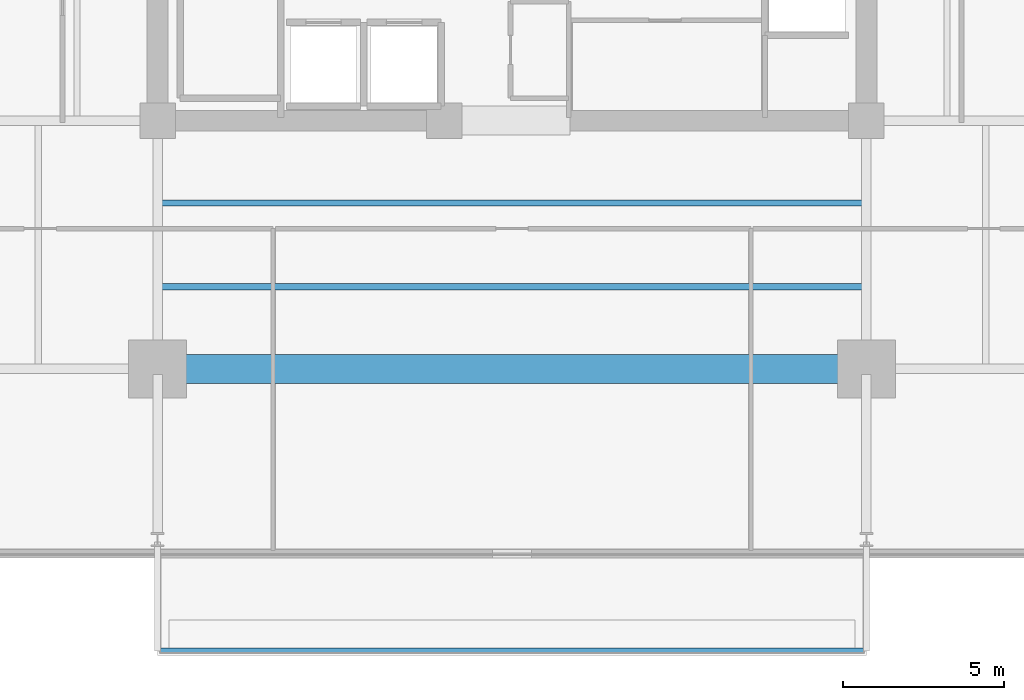
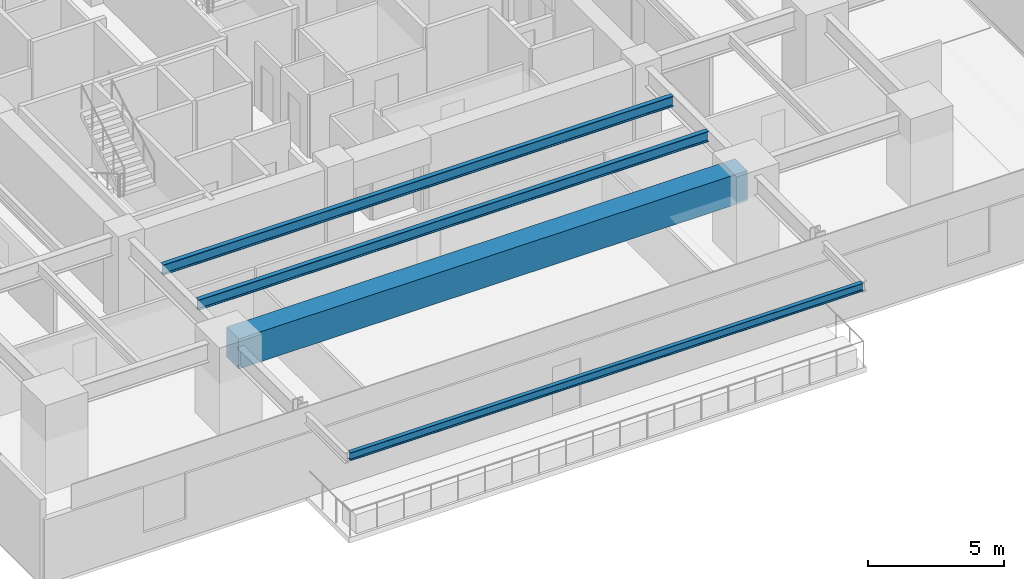
# One storey, part 4 of 25: 4 beams.
"""IFC4 building model written with IfcOpenShell, lengths in metres."""

from ifc_helpers import new_model, si_unit, direction, frame, origin, origin_2d, place, context, subcontext, project, spatial, rectangle, i_section, extrude, material, material_profile, profile_set, type_object, element, save


model = new_model("IFC4")

# Units and contexts
model_context = context("Model", 3, precision=1e-05, world=origin(), true_north=direction((0.0, 1.0)))
body_context = subcontext(model_context, "Body", "Model", "MODEL_VIEW")
ifc_project = project(units=[si_unit("LENGTHUNIT", "METRE"), si_unit("AREAUNIT", "SQUARE_METRE"), si_unit("VOLUMEUNIT", "CUBIC_METRE"), si_unit("PLANEANGLEUNIT", "RADIAN"), si_unit("MASSUNIT", "GRAM", prefix="KILO")], contexts=[model_context])

# Site, building, storey
site_placement = place(None, origin())
site = spatial("IfcSite", under=ifc_project, at=site_placement, CompositionType="ELEMENT")
building_placement = place(site_placement, origin())
building = spatial("IfcBuilding", under=site, at=building_placement, Name="Kovane Verandah Tower", CompositionType="ELEMENT")
storey_placement = place(building_placement, frame((0.0, 0.0, 67.60009765625)))
storey = spatial("IfcBuildingStorey", under=building, at=storey_placement, Name="L15", CompositionType="ELEMENT", Elevation=67.60009765625)

# Beams
ifc_material_1 = material(Name="Concrete C80/95", Category="concrete")
ifc_material_profile_1 = material_profile(ifc_material_1, rectangle(XDim=0.89990234375, YDim=1.35009765625, at=origin_2d()), Name="RCB900x1350")
ifc_profile_set_1 = profile_set([ifc_material_profile_1], Name="Concrete C80/95")
beam_type_1 = type_object("IfcBeamType", Name="BM-TR-900x1350", PredefinedType="BEAM", material=ifc_profile_set_1)
beam_1_placement = place(storey_placement, frame((29.179931640625, 10.800048828125, 3.0849609375), z_axis=(1.0, 0.0, 0.0), x_axis=(0.0, 1.0, 0.0)))
element("IfcBeam", 1, at=beam_1_placement, inside=storey, type_object=beam_type_1, Name="L15 Primary Tower Girder G-RS2", PredefinedType="BEAM", context=body_context, shape_type="SweptSolid", body=[
    extrude(rectangle(XDim=0.89990234375, YDim=1.35009765625, at=origin_2d()), origin(), (0.0, 0.0, 1.0), 21.64013671875),
])
ifc_material_2 = material(Name="Steel S355", Category="steel")
ifc_material_profile_2 = material_profile(ifc_material_2, i_section(OverallWidth=0.19287109375, OverallDepth=0.46728515625, WebThickness=0.011474609375, FlangeThickness=0.01953125, FilletRadius=0.01025390625, at=origin_2d()), Name="UB457x191x98")
ifc_profile_set_2 = profile_set([ifc_material_profile_2], Name="Steel S355")
beam_type_2 = type_object("IfcBeamType", Name="JST-UB457x98", PredefinedType="JOIST", material=ifc_profile_set_2)
for number, where, z_axis, x_axis, name in (
    (2, (29.14501953125, 13.35009765625, 3.5263671875), (1.0, 0.0, 0.0), (0.0, 1.0, 0.0), "L15 Secondary Composite Joist J-S1"),
    (3, (29.14501953125, 15.949951171875, 3.5263671875), (1.0, 0.0, 0.0), (0.0, 1.0, 0.0), "L15 Secondary Composite Joist J-S2"),
):
    element("IfcBeam", number, at=place(storey_placement, frame(where, z_axis=z_axis, x_axis=x_axis)), inside=storey, type_object=beam_type_2, Name=name, PredefinedType="JOIST", context=body_context, shape_type="SweptSolid", body=[
        extrude(i_section(OverallWidth=0.19287109375, OverallDepth=0.46728515625, WebThickness=0.011474609375, FlangeThickness=0.01953125, FilletRadius=0.01025390625, at=origin_2d()), origin(), (0.0, 0.0, 1.0), 21.7099609375),
    ])
ifc_material_profile_3 = material_profile(ifc_material_2, i_section(OverallWidth=0.173095703125, OverallDepth=0.36328125, WebThickness=0.009033203125, FlangeThickness=0.015625, FilletRadius=0.01025390625, at=origin_2d()), Name="UB356x171x67")
ifc_profile_set_3 = profile_set([ifc_material_profile_3], Name="Steel S355")
beam_type_3 = type_object("IfcBeamType", Name="SPD-UB356x67", PredefinedType="USERDEFINED", material=ifc_profile_set_3)
beam_2_placement = place(storey_placement, frame((29.094482421875, 2.049560546875, 3.578125), z_axis=(1.0, 0.0, 0.0), x_axis=(0.0, 1.0, 0.0)))
element("IfcBeam", 4, at=beam_2_placement, inside=storey, type_object=beam_type_3, Name="L15 South Planter Edge Spandrel", ObjectType="SPANDREL", PredefinedType="USERDEFINED", context=body_context, shape_type="SweptSolid", body=[
    extrude(i_section(OverallWidth=0.173095703125, OverallDepth=0.36328125, WebThickness=0.009033203125, FlangeThickness=0.015625, FilletRadius=0.01025390625, at=origin_2d()), origin(), (0.0, 0.0, 1.0), 21.81103515625),
])

save(model, "model.ifc")
